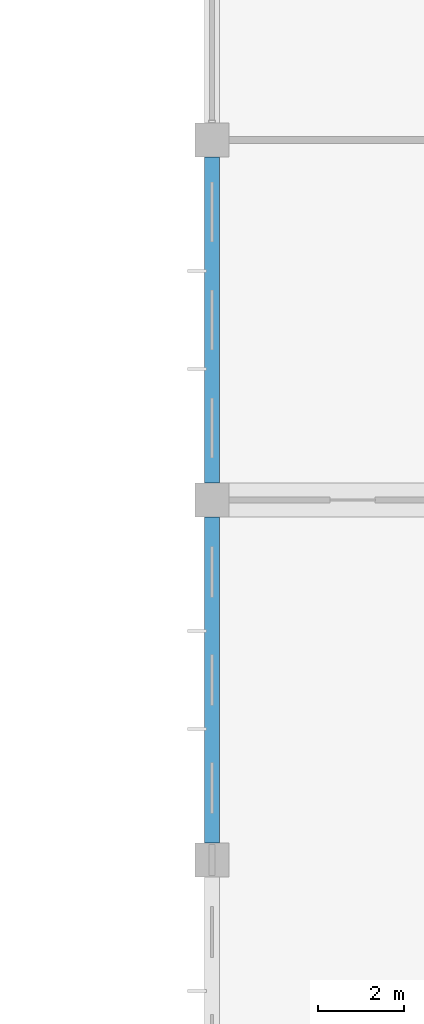
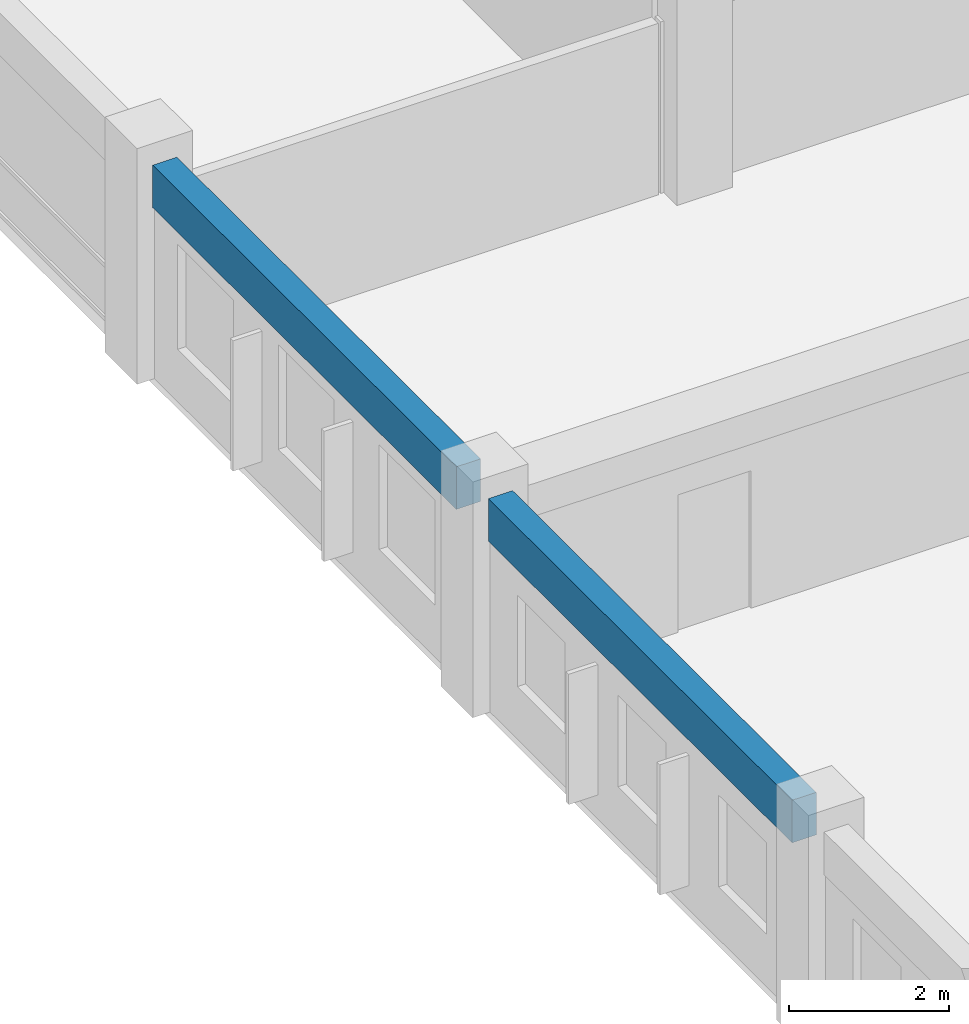
# One storey, part 8 of 50: 2 beams.
"""IFC4 building model written with IfcOpenShell, lengths in metres."""

from ifc_helpers import new_model, si_unit, direction, frame, origin, origin_2d, place, context, subcontext, project, spatial, rectangle, extrude, material, material_profile, profile_set, type_object, element, save


model = new_model("IFC4")

# Units and contexts
model_context = context("Model", 3, precision=1e-05, world=origin(), true_north=direction((0.0, 1.0)))
body_context = subcontext(model_context, "Body", "Model", "MODEL_VIEW")
ifc_project = project(units=[si_unit("LENGTHUNIT", "METRE"), si_unit("AREAUNIT", "SQUARE_METRE"), si_unit("VOLUMEUNIT", "CUBIC_METRE"), si_unit("PLANEANGLEUNIT", "RADIAN"), si_unit("MASSUNIT", "GRAM", prefix="KILO"), si_unit("THERMODYNAMICTEMPERATUREUNIT", "KELVIN"), si_unit("POWERUNIT", "WATT")], contexts=[model_context])

# Site, building, storey
site_placement = place(None, origin())
site = spatial("IfcSite", under=ifc_project, at=site_placement, CompositionType="ELEMENT")
building_placement = place(site_placement, origin())
building = spatial("IfcBuilding", under=site, at=building_placement, Name="Srebrne Nadtorze General Hospital", CompositionType="ELEMENT")
storey_placement = place(building_placement, frame((0.0, 0.0, 14.39990234375)))
storey = spatial("IfcBuildingStorey", under=building, at=storey_placement, Name="L03", CompositionType="ELEMENT", Elevation=14.39990234375)

# Beams
ifc_material = material(Name="Concrete C35/45", Category="concrete")
ifc_material_profile = material_profile(ifc_material, rectangle(XDim=0.35009765625, YDim=0.64990234375, at=origin_2d()), Name="RC-BM-350x650")
ifc_profile_set = profile_set([ifc_material_profile], Name="Concrete C35/45")
beam_type = type_object("IfcBeamType", Name="Edge beam RC 350x650", PredefinedType="BEAM", material=ifc_profile_set)
beam_1_placement = place(storey_placement, frame((101.39990234375, 17.199951171875, 2.945068359375), z_axis=(0.0, 1.0, 0.0), x_axis=(-1.0, 0.0, 0.0)))
element("IfcBeam", 1, at=beam_1_placement, inside=storey, type_object=beam_type, Name="Beam BM-L03-Y-0822", PredefinedType="BEAM", context=body_context, shape_type="SweptSolid", body=[
    extrude(rectangle(XDim=0.35009765625, YDim=0.64990234375, at=origin_2d()), origin(), (0.0, 0.0, 1.0), 7.60009765625),
])
beam_2_placement = place(storey_placement, frame((101.39990234375, 25.60009765625, 2.945068359375), z_axis=(0.0, 1.0, 0.0), x_axis=(-1.0, 0.0, 0.0)))
element("IfcBeam", 2, at=beam_2_placement, inside=storey, type_object=beam_type, Name="Beam BM-L03-Y-0823", PredefinedType="BEAM", context=body_context, shape_type="SweptSolid", body=[
    extrude(rectangle(XDim=0.35009765625, YDim=0.64990234375, at=origin_2d()), origin(), (0.0, 0.0, 1.0), 7.599853515625),
])

save(model, "model.ifc")
